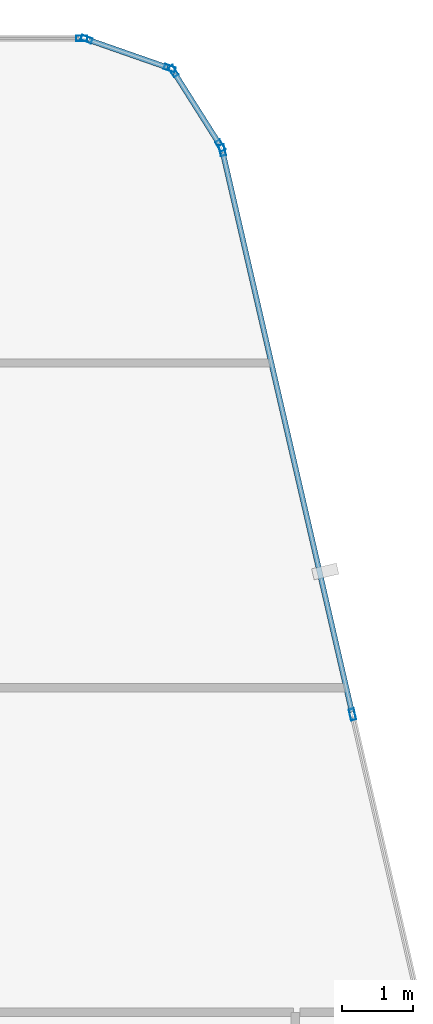
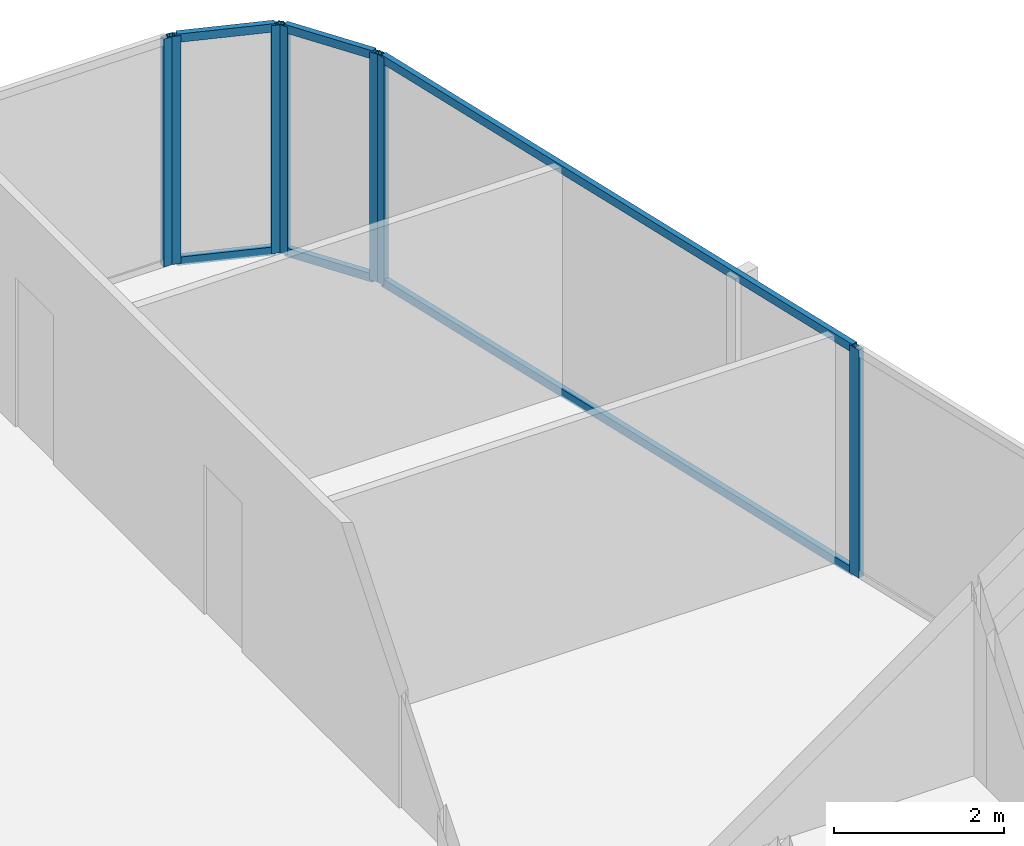
# One storey, part 19 of 27: 13 members, 4 elements without a shape of their own.
"""IFC4 building model written with IfcOpenShell, lengths in metres."""

import ifcopenshell
import ifcopenshell.guid

model = None  # the IFC model being written
_history = None  # IfcOwnerHistory: only IFC2X3 demands one
_inside = {}  # id of a spatial element -> (the spatial element, [elements in it])
_under = {}  # id of a project, library or spatial element -> (it, [spatial elements below it])
_declared = {}  # id of a project -> (the project, [libraries it declares])
_typed = {}  # id of a type object -> (the type object, [elements of that type])
_made_of = {}  # id of a material, layer set ... -> (it, [elements and type objects made of it])


def new_model(schema):
    """Start an empty IFC model of exactly this schema.

    Asked for "IFC4X3", IfcOpenShell would pick the latest addendum, in which some entities
    have other attributes; the version numbers below select the first issue.
    IFC2X3 requires an IfcOwnerHistory on every rooted entity: one is made here for all.
    """
    global model, _history
    if schema == "IFC4X3":
        model = ifcopenshell.file(schema_version=(4, 3, 0, 0))
    else:
        model = ifcopenshell.file(schema=schema)
    _inside.clear()
    _under.clear()
    _declared.clear()
    _typed.clear()
    _made_of.clear()
    _history = None
    if model.schema == "IFC2X3":
        org = make("IfcOrganization", Name="unknown")
        user = make(
            "IfcPersonAndOrganization",
            ThePerson=make("IfcPerson", FamilyName="unknown"),
            TheOrganization=org,
        )
        app = make(
            "IfcApplication",
            ApplicationDeveloper=org,
            Version="unknown",
            ApplicationFullName="unknown",
            ApplicationIdentifier="unknown",
        )
        _history = make(
            "IfcOwnerHistory",
            OwningUser=user,
            OwningApplication=app,
            ChangeAction="ADDED",
            CreationDate=0,
        )
    return model


def make(cls, **values):
    """One entity of the class cls with the attributes given. An attribute that is None is left unset."""
    return model.create_entity(
        cls, **{name: value for name, value in values.items() if value is not None}
    )


def rooted(cls, **values):
    """An entity with a GlobalId (a new one), such as an element, a storey or a relation."""
    return make(cls, GlobalId=ifcopenshell.guid.new(), OwnerHistory=_history, **values)


def si_unit(unit_type, name, prefix=None):
    """IfcSIUnit, for example si_unit("LENGTHUNIT", "METRE", prefix="MILLI")."""
    return make("IfcSIUnit", UnitType=unit_type, Prefix=prefix, Name=name)


def assignment(units):
    """IfcUnitAssignment: the units of a project."""
    return None if units is None else make("IfcUnitAssignment", Units=units)


def point(xyz):
    """IfcCartesianPoint."""
    return None if xyz is None else make("IfcCartesianPoint", Coordinates=xyz)


def direction(xyz):
    """IfcDirection."""
    return None if xyz is None else make("IfcDirection", DirectionRatios=xyz)


def frame(location, z_axis=None, x_axis=None):
    """IfcAxis2Placement3D, a coordinate frame: its origin and axes. An axis left out is left unset."""
    return make(
        "IfcAxis2Placement3D",
        Location=point(location),
        Axis=direction(z_axis),
        RefDirection=direction(x_axis),
    )


def frame_2d(location, x_axis=None):
    """IfcAxis2Placement2D, a coordinate frame in the plane: its origin and x axis."""
    return make(
        "IfcAxis2Placement2D", Location=point(location), RefDirection=direction(x_axis)
    )


def origin():
    """The frame at (0, 0, 0) with its axes left unset."""
    return frame((0.0, 0.0, 0.0))


def origin_2d():
    """The frame at (0, 0) in the plane with its x axis left unset."""
    return frame_2d((0.0, 0.0))


def place(relative_to, where):
    """IfcLocalPlacement: puts the frame where relative to a parent placement (None: the world)."""
    return make(
        "IfcLocalPlacement", PlacementRelTo=relative_to, RelativePlacement=where
    )


def context(
    kind, dimensions, precision=None, world=None, true_north=None, identifier=None
):
    """IfcGeometricRepresentationContext, for example the 3D "Model" context."""
    return make(
        "IfcGeometricRepresentationContext",
        ContextIdentifier=identifier,
        ContextType=kind,
        CoordinateSpaceDimension=dimensions,
        Precision=precision,
        WorldCoordinateSystem=world,
        TrueNorth=true_north,
    )


def subcontext(parent, identifier, kind, view, scale=None):
    """IfcGeometricRepresentationSubContext, for example "Body" below "Model"."""
    return make(
        "IfcGeometricRepresentationSubContext",
        ContextIdentifier=identifier,
        ContextType=kind,
        ParentContext=parent,
        TargetScale=scale,
        TargetView=view,
    )


def project(units=None, contexts=None):
    """IfcProject with its units and contexts."""
    return rooted(
        "IfcProject",
        Name="project",
        RepresentationContexts=contexts,
        UnitsInContext=assignment(units),
    )


def spatial(cls, under=None, at=None, **own):
    """A site, building, storey or space (cls), placed at a placement, below another one or the project."""
    s = rooted(cls, ObjectPlacement=at, **own)
    if under is not None:
        _under.setdefault(under.id(), (under, []))[1].append(s)
    return s


def profile(cls, at=None, kind="AREA", **sizes):
    """A parametric profile (cls). Its sizes go by their IFC names, for example OverallWidth=200.0."""
    return make(cls, ProfileType=kind, Position=at, **sizes)


def hollow_rectangle(**sizes):
    """IfcRectangleHollowProfileDef."""
    return profile("IfcRectangleHollowProfileDef", **sizes)


def extrude(swept, where, along, depth):
    """IfcExtrudedAreaSolid: the profile swept, set in the frame where, extruded along a direction by depth."""
    return make(
        "IfcExtrudedAreaSolid",
        SweptArea=swept,
        Position=where,
        ExtrudedDirection=direction(along),
        Depth=depth,
    )


def shape(context_of_items, identifier, shape_type, items):
    """IfcShapeRepresentation: the items that make up one representation, for example the "Body"."""
    return make(
        "IfcShapeRepresentation",
        ContextOfItems=context_of_items,
        RepresentationIdentifier=identifier,
        RepresentationType=shape_type,
        Items=items,
    )


def material(Name=None, Category=None):
    """IfcMaterial."""
    return make("IfcMaterial", Name=Name, Category=Category)


def layer(
    of_material, thickness, ventilated=None, Name=None, Category=None, Priority=None
):
    """IfcMaterialLayer: one layer of a wall or slab, of a material (None: an air gap)."""
    return make(
        "IfcMaterialLayer",
        Material=of_material,
        LayerThickness=thickness,
        IsVentilated=ventilated,
        Name=Name,
        Category=Category,
        Priority=Priority,
    )


def layer_set(layers, Name=None):
    """IfcMaterialLayerSet."""
    return make("IfcMaterialLayerSet", MaterialLayers=layers, LayerSetName=Name)


def material_profile(
    of_material, cross_section, Name=None, Category=None, Priority=None
):
    """IfcMaterialProfile: a cross section and its material."""
    return make(
        "IfcMaterialProfile",
        Name=Name,
        Material=of_material,
        Profile=cross_section,
        Priority=Priority,
        Category=Category,
    )


def profile_set(profiles, Name=None, composite=None):
    """IfcMaterialProfileSet."""
    return make(
        "IfcMaterialProfileSet",
        Name=Name,
        MaterialProfiles=profiles,
        CompositeProfile=composite,
    )


def made_of(thing, what):
    """Note that an element or type object is made of a material, layer set ...; save() writes the relation."""
    if what is not None:
        _made_of.setdefault(what.id(), (what, []))[1].append(thing)
    return thing


def type_object(cls, material=None, **own):
    """A type object (cls), such as IfcWallType, which elements share."""
    return made_of(rooted(cls, **own), material)


def element(
    cls,
    number,
    at=None,
    inside=None,
    cuts=None,
    type_object=None,
    material=None,
    context=None,
    identifier="Body",
    shape_type=None,
    held_by="IfcProductDefinitionShape",
    body=None,
    shapes=None,
    **own,
):
    """One element of the class cls, such as IfcWall. Its Tag is "e" and its number.

    at: its placement. inside: the storey or other place that contains it. cuts: it is an
    opening in that element (IfcRelVoidsElement). A single representation is given by context,
    identifier, shape_type and body (its items); several are given by shapes. held_by: the class
    of the entity that holds the representations. save() writes the other relations.
    """
    e = rooted(cls, Tag="e%d" % number, ObjectPlacement=at, **own)
    if body is not None:
        shapes = [shape(context, identifier, shape_type, body)]
    if shapes is not None:
        e.Representation = make(held_by, Representations=shapes)
    if inside is not None:
        _inside.setdefault(inside.id(), (inside, []))[1].append(e)
    if cuts is not None:
        rooted(
            "IfcRelVoidsElement", RelatingBuildingElement=cuts, RelatedOpeningElement=e
        )
    if type_object is not None:
        _typed.setdefault(type_object.id(), (type_object, []))[1].append(e)
    return made_of(e, material)


def aggregate(whole, parts):
    """IfcRelAggregates: a whole, such as a stair, and the parts it consists of."""
    return rooted("IfcRelAggregates", RelatingObject=whole, RelatedObjects=parts)


def save(model, path):
    """Write the relations noted so far, then the file.

    IfcRelAggregates (storeys below a building ...), IfcRelContainedInSpatialStructure (elements
    in a storey), IfcRelDefinesByType, IfcRelAssociatesMaterial and IfcRelDeclares: one each for
    every whole, place, type object, material and project.
    """
    for whole, parts in _under.values():
        aggregate(whole, parts)
    for where, things in _inside.values():
        rooted(
            "IfcRelContainedInSpatialStructure",
            RelatedElements=things,
            RelatingStructure=where,
        )
    for kind, things in _typed.values():
        rooted("IfcRelDefinesByType", RelatedObjects=things, RelatingType=kind)
    for what, things in _made_of.values():
        rooted("IfcRelAssociatesMaterial", RelatedObjects=things, RelatingMaterial=what)
    for by, libraries in _declared.values():
        rooted("IfcRelDeclares", RelatingContext=by, RelatedDefinitions=libraries)
    model.write(path)


model = new_model("IFC4")

# Units and contexts
model_context = context("Model", 3, precision=1e-05, world=origin(), true_north=direction((0.0, 1.0)))
body_context = subcontext(model_context, "Body", "Model", "MODEL_VIEW")
ifc_project = project(units=[si_unit("LENGTHUNIT", "METRE"), si_unit("AREAUNIT", "SQUARE_METRE"), si_unit("VOLUMEUNIT", "CUBIC_METRE"), si_unit("PLANEANGLEUNIT", "RADIAN"), si_unit("MASSUNIT", "GRAM", prefix="KILO")], contexts=[model_context])

# Site, building, storey
site_placement = place(None, origin())
site = spatial("IfcSite", under=ifc_project, at=site_placement, CompositionType="ELEMENT")
building_placement = place(site_placement, origin())
building = spatial("IfcBuilding", under=site, at=building_placement, Name="Keshet Zoharim Tower", CompositionType="ELEMENT")
storey_placement = place(building_placement, frame((0.0, 0.0, 311.0)))
storey = spatial("IfcBuildingStorey", under=building, at=storey_placement, Name="L78", CompositionType="ELEMENT", Elevation=311.0)

# Curtain wall, member
ifc_material = material(Name="Aluminium 6063-T6", Category="aluminium")
ifc_layer = layer(ifc_material, 0.260009765625)
ifc_layer_set = layer_set([ifc_layer], Name="Aluminium 6063-T6")
curtain_wall_type = type_object("IfcCurtainWallType", Name="CW-SYS-06", PredefinedType="NOTDEFINED", material=ifc_layer_set)
curtain_wall_1_placement = place(storey_placement, origin())
curtain_wall_1 = element("IfcCurtainWall", 1, at=curtain_wall_1_placement, inside=storey, type_object=curtain_wall_type, Name="L78 Unitised Curtain Wall 06 Part 5", PredefinedType="NOTDEFINED")
ifc_material_profile_1 = material_profile(ifc_material, hollow_rectangle(XDim=0.074951171875, YDim=0.159912109375, WallThickness=0.00390625, at=origin_2d()), Name="MUL-75x160")
ifc_profile_set_1 = profile_set([ifc_material_profile_1], Name="Aluminium 6063-T6")
member_type_1 = type_object("IfcMemberType", Name="CWM-M15", PredefinedType="MULLION", material=ifc_profile_set_1)
member_1_placement = place(storey_placement, frame((37.3740234375, 53.89990234375, 0.0), z_axis=(0.0, 0.0, 1.0), x_axis=(0.0, 1.0, 0.0)))
member_1 = element("IfcMember", 2, at=member_1_placement, type_object=member_type_1, Name="CW-06 mullion 2", PredefinedType="MULLION", context=body_context, shape_type="SweptSolid", body=[
    extrude(hollow_rectangle(XDim=0.074951171875, YDim=0.159912109375, WallThickness=0.00390625, at=origin_2d()), origin(), (0.0, 0.0, 1.0), 3.280029296875),
])
aggregate(curtain_wall_1, [member_1])

# Curtain wall, members
curtain_wall_2_placement = place(storey_placement, origin())
curtain_wall_2 = element("IfcCurtainWall", 3, at=curtain_wall_2_placement, inside=storey, type_object=curtain_wall_type, Name="L78 Unitised Curtain Wall 07", PredefinedType="NOTDEFINED")
member_2_placement = place(storey_placement, frame((37.442138671875, 53.888427734375, 0.0), z_axis=(0.0, 0.0, 1.0), x_axis=(0.329843743636, 0.944035542119, 0.0)))
member_2 = element("IfcMember", 4, at=member_2_placement, type_object=member_type_1, Name="CW-06 mullion 1", PredefinedType="MULLION", context=body_context, shape_type="SweptSolid", body=[
    extrude(hollow_rectangle(XDim=0.074951171875, YDim=0.159912109375, WallThickness=0.00390625, at=origin_2d()), origin(), (0.0, 0.0, 1.0), 3.280029296875),
])
member_3_placement = place(storey_placement, frame((38.620849609375, 53.4765625, 0.0), z_axis=(0.0, 0.0, 1.0), x_axis=(0.329843743636, 0.944035542119, 0.0)))
member_3 = element("IfcMember", 5, at=member_3_placement, type_object=member_type_1, Name="CW-06 mullion 2", PredefinedType="MULLION", context=body_context, shape_type="SweptSolid", body=[
    extrude(hollow_rectangle(XDim=0.074951171875, YDim=0.159912109375, WallThickness=0.00390625, at=origin_2d()), origin(), (0.0, 0.0, 1.0), 3.280029296875),
])

curtain_wall_3_placement = place(storey_placement, origin())
curtain_wall_3 = element("IfcCurtainWall", 6, at=curtain_wall_3_placement, inside=storey, type_object=curtain_wall_type, Name="L78 Unitised Curtain Wall 08", PredefinedType="NOTDEFINED")
member_4_placement = place(storey_placement, frame((38.672607421875, 53.435302734375, 0.0), z_axis=(0.0, 0.0, 1.0), x_axis=(0.845560976183, 0.533878858502, 0.0)))
member_4 = element("IfcMember", 7, at=member_4_placement, type_object=member_type_1, Name="CW-06 mullion 1", PredefinedType="MULLION", context=body_context, shape_type="SweptSolid", body=[
    extrude(hollow_rectangle(XDim=0.074951171875, YDim=0.159912109375, WallThickness=0.00390625, at=origin_2d()), origin(), (0.0, 0.0, 1.0), 3.280029296875),
])
member_5_placement = place(storey_placement, frame((39.33935546875, 52.379638671875, 0.0), z_axis=(0.0, 0.0, 1.0), x_axis=(0.845560976183, 0.533878858502, 0.0)))
member_5 = element("IfcMember", 8, at=member_5_placement, type_object=member_type_1, Name="CW-06 mullion 2", PredefinedType="MULLION", context=body_context, shape_type="SweptSolid", body=[
    extrude(hollow_rectangle(XDim=0.074951171875, YDim=0.159912109375, WallThickness=0.00390625, at=origin_2d()), origin(), (0.0, 0.0, 1.0), 3.280029296875),
])

curtain_wall_4_placement = place(storey_placement, origin())
curtain_wall_4 = element("IfcCurtainWall", 9, at=curtain_wall_4_placement, inside=storey, type_object=curtain_wall_type, Name="L78 Unitised Curtain Wall 09", PredefinedType="NOTDEFINED")
member_6_placement = place(storey_placement, frame((39.365966796875, 52.31591796875, 0.0), z_axis=(0.0, 0.0, 1.0), x_axis=(0.974398012932, 0.224829963294, 0.0)))
member_6 = element("IfcMember", 10, at=member_6_placement, type_object=member_type_1, Name="CW-06 mullion 1", PredefinedType="MULLION", context=body_context, shape_type="SweptSolid", body=[
    extrude(hollow_rectangle(XDim=0.074951171875, YDim=0.159912109375, WallThickness=0.00390625, at=origin_2d()), origin(), (0.0, 0.0, 1.0), 3.280029296875),
])
member_7_placement = place(storey_placement, frame((41.210693359375, 44.320556640625, 0.0), z_axis=(0.0, 0.0, 1.0), x_axis=(0.974398012932, 0.224829963294, 0.0)))
member_7 = element("IfcMember", 11, at=member_7_placement, type_object=member_type_1, Name="CW-06 mullion 2", PredefinedType="MULLION", context=body_context, shape_type="SweptSolid", body=[
    extrude(hollow_rectangle(XDim=0.074951171875, YDim=0.159912109375, WallThickness=0.00390625, at=origin_2d()), origin(), (0.0, 0.0, 1.0), 3.280029296875),
])

# Member
ifc_material_profile_2 = material_profile(ifc_material, hollow_rectangle(XDim=0.074951171875, YDim=0.1201171875, WallThickness=0.00390625, at=origin_2d()), Name="TRN-75x120")
ifc_profile_set_2 = profile_set([ifc_material_profile_2], Name="Aluminium 6063-T6")
member_type_2 = type_object("IfcMemberType", Name="CWT-T12", PredefinedType="USERDEFINED", material=ifc_profile_set_2)
member_8_placement = place(storey_placement, frame((37.47509765625, 53.876953125, 0.034912109375), z_axis=(0.944006789648, -0.329926023675, 0.0), x_axis=(0.329926023675, 0.944006789648, 0.0)))
member_8 = element("IfcMember", 12, at=member_8_placement, type_object=member_type_2, Name="CW-06 transom 1.1", ObjectType="TRANSOM", PredefinedType="USERDEFINED", context=body_context, shape_type="SweptSolid", body=[
    extrude(hollow_rectangle(XDim=0.074951171875, YDim=0.1201171875, WallThickness=0.00390625, at=origin_2d()), origin(), (0.0, 0.0, 1.0), 1.1787109375),
])

member_9_placement = place(storey_placement, frame((37.47509765625, 53.876953125, 3.2451171875), z_axis=(0.944006789648, -0.329926023675, 0.0), x_axis=(0.329926023675, 0.944006789648, 0.0)))
member_9 = element("IfcMember", 13, at=member_9_placement, type_object=member_type_2, Name="CW-06 transom 1.2", ObjectType="TRANSOM", PredefinedType="USERDEFINED", context=body_context, shape_type="SweptSolid", body=[
    extrude(hollow_rectangle(XDim=0.074951171875, YDim=0.1201171875, WallThickness=0.00390625, at=origin_2d()), origin(), (0.0, 0.0, 1.0), 1.1787109375),
])

aggregate(curtain_wall_2, [member_2, member_3, member_8, member_9])

member_10_placement = place(storey_placement, frame((38.69140625, 53.40576171875, 0.034912109375), z_axis=(0.53382931122, -0.845592257819, 0.0), x_axis=(0.845592257819, 0.53382931122, 0.0)))
member_10 = element("IfcMember", 14, at=member_10_placement, type_object=member_type_2, Name="CW-06 transom 1.1", ObjectType="TRANSOM", PredefinedType="USERDEFINED", context=body_context, shape_type="SweptSolid", body=[
    extrude(hollow_rectangle(XDim=0.074951171875, YDim=0.1201171875, WallThickness=0.00390625, at=origin_2d()), origin(), (0.0, 0.0, 1.0), 1.178466796875),
])

member_11_placement = place(storey_placement, frame((38.69140625, 53.40576171875, 3.2451171875), z_axis=(0.53382931122, -0.845592257819, 0.0), x_axis=(0.845592257819, 0.53382931122, 0.0)))
member_11 = element("IfcMember", 15, at=member_11_placement, type_object=member_type_2, Name="CW-06 transom 1.2", ObjectType="TRANSOM", PredefinedType="USERDEFINED", context=body_context, shape_type="SweptSolid", body=[
    extrude(hollow_rectangle(XDim=0.074951171875, YDim=0.1201171875, WallThickness=0.00390625, at=origin_2d()), origin(), (0.0, 0.0, 1.0), 1.178466796875),
])

aggregate(curtain_wall_3, [member_4, member_5, member_10, member_11])

member_12_placement = place(storey_placement, frame((39.373779296875, 52.28173828125, 0.034912109375), z_axis=(0.224835397421, -0.97439675906, 0.0), x_axis=(0.97439675906, 0.224835397421, 0.0)))
member_12 = element("IfcMember", 16, at=member_12_placement, type_object=member_type_2, Name="CW-06 transom 1.1", ObjectType="TRANSOM", PredefinedType="USERDEFINED", context=body_context, shape_type="SweptSolid", body=[
    extrude(hollow_rectangle(XDim=0.074951171875, YDim=0.1201171875, WallThickness=0.00390625, at=origin_2d()), origin(), (0.0, 0.0, 1.0), 8.13525390625),
])

member_13_placement = place(storey_placement, frame((39.373779296875, 52.28173828125, 3.2451171875), z_axis=(0.224835397421, -0.97439675906, 0.0), x_axis=(0.97439675906, 0.224835397421, 0.0)))
member_13 = element("IfcMember", 17, at=member_13_placement, type_object=member_type_2, Name="CW-06 transom 1.2", ObjectType="TRANSOM", PredefinedType="USERDEFINED", context=body_context, shape_type="SweptSolid", body=[
    extrude(hollow_rectangle(XDim=0.074951171875, YDim=0.1201171875, WallThickness=0.00390625, at=origin_2d()), origin(), (0.0, 0.0, 1.0), 8.13525390625),
])

aggregate(curtain_wall_4, [member_6, member_7, member_12, member_13])

save(model, "model.ifc")
